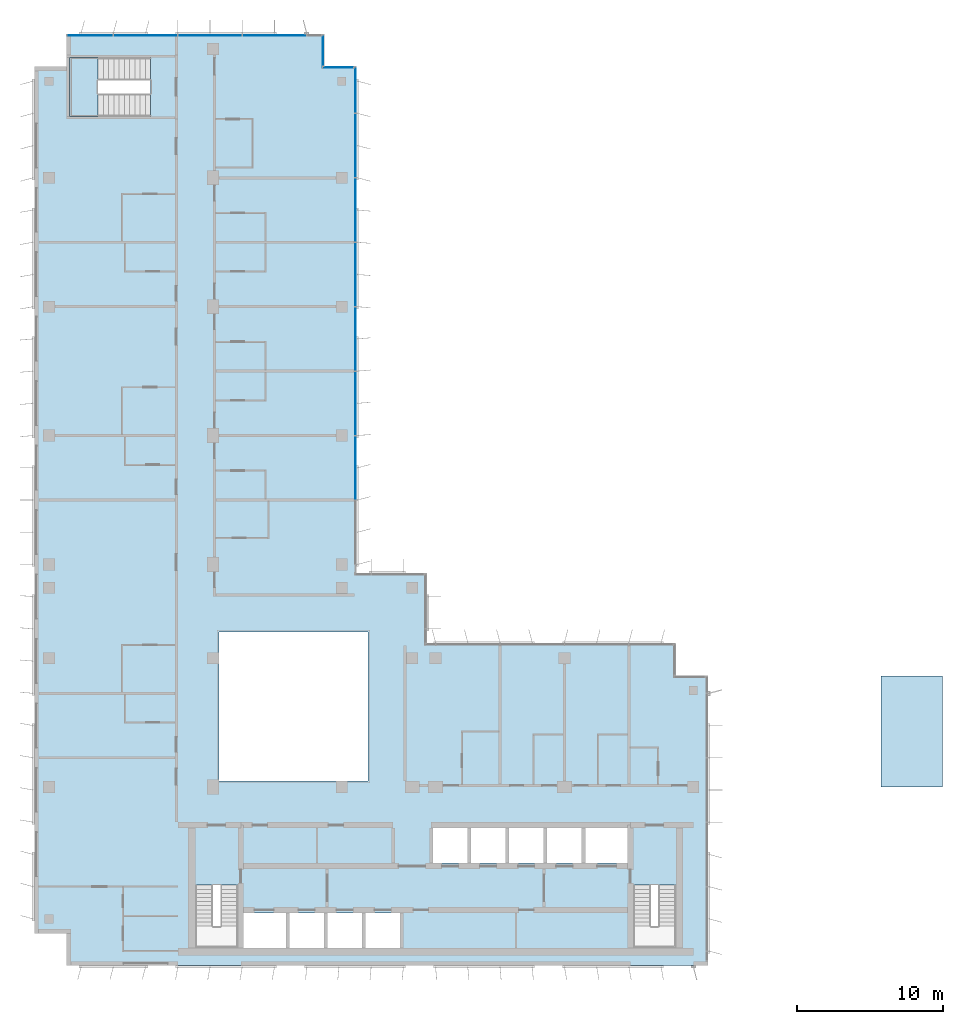
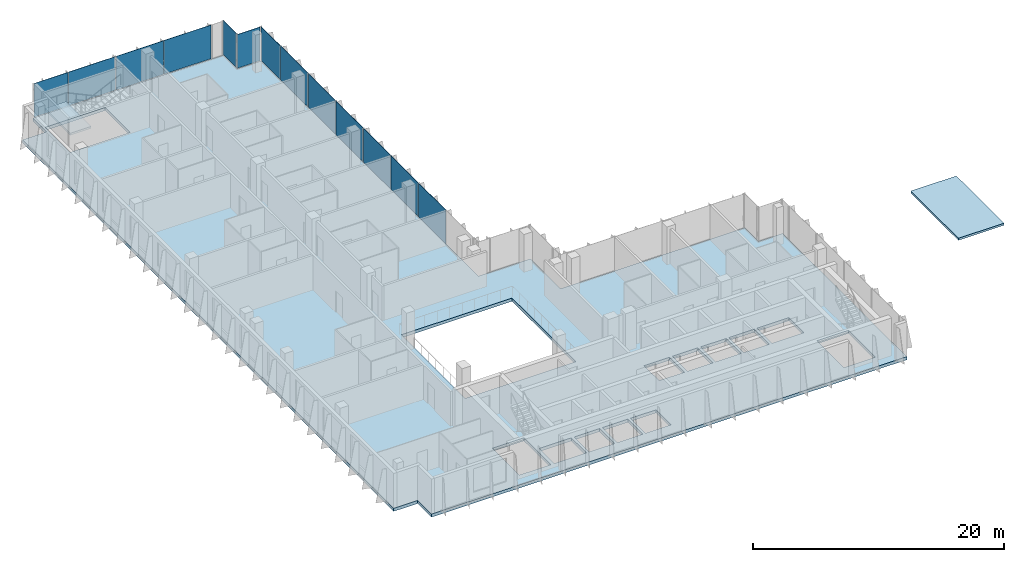
# One storey, part 8 of 17: 13 plates, 3 slabs, 5 elements without a shape of their own.
"""IFC4 building model written with IfcOpenShell, lengths in metres."""

from ifc_helpers import new_model, si_unit, direction, frame, origin, origin_2d, place, context, subcontext, project, spatial, polyline, rectangle, outline, extrude, source, transform, mapped, material, layer, layer_set, type_object, element, aggregate, save


model = new_model("IFC4")

# Units and contexts
model_context = context("Model", 3, precision=1e-05, world=origin(), true_north=direction((0.0, 1.0)))
body_context = subcontext(model_context, "Body", "Model", "MODEL_VIEW")
ifc_project = project(units=[si_unit("LENGTHUNIT", "METRE"), si_unit("AREAUNIT", "SQUARE_METRE"), si_unit("VOLUMEUNIT", "CUBIC_METRE"), si_unit("PLANEANGLEUNIT", "RADIAN"), si_unit("MASSUNIT", "GRAM", prefix="KILO")], contexts=[model_context])

# Site, building, storey
site_placement = place(None, origin())
site = spatial("IfcSite", under=ifc_project, at=site_placement, CompositionType="ELEMENT")
building_placement = place(site_placement, origin())
building = spatial("IfcBuilding", under=site, at=building_placement, Name="Kemantara Hotel Tower", CompositionType="ELEMENT")
storey_placement = place(building_placement, frame((0.0, 0.0, 226.5)))
storey = spatial("IfcBuildingStorey", under=building, at=storey_placement, Name="L56", CompositionType="ELEMENT", Elevation=226.5)

# Slabs
ifc_material_1 = material(Name="Concrete fc 40 MPa", Category="concrete")
ifc_layer_1 = layer(ifc_material_1, 0.199951171875)
ifc_layer_set_1 = layer_set([ifc_layer_1], Name="Concrete fc 40 MPa")
slab_type_1 = type_object("IfcSlabType", Name="Head-house roof slab 200 mm", PredefinedType="ROOF", material=ifc_layer_set_1)
slab_1_placement = place(storey_placement, frame((0.0, 0.0, -0.199951171875)))
element("IfcSlab", 1, at=slab_1_placement, inside=storey, type_object=slab_type_1, Name="Stair ST3 head-house roof", PredefinedType="ROOF", context=body_context, shape_type="SweptSolid", body=[
    extrude(outline(polyline([(57.800048828125, 12.199951171875), (62.0, 12.199951171875), (62.0, 19.800048828125), (57.800048828125, 19.800048828125), (57.800048828125, 12.199951171875)])), origin(), (0.0, 0.0, 1.0), 0.199951171875),
])
ifc_layer_2 = layer(ifc_material_1, 0.300048828125)
ifc_layer_set_2 = layer_set([ifc_layer_2], Name="Concrete fc 40 MPa")
slab_type_2 = type_object("IfcSlabType", Name="POST-TENSIONED FLAT PLATE 300", PredefinedType="FLOOR", material=ifc_layer_set_2)
slab_2_placement = place(storey_placement, frame((0.0, 0.0, -0.300048828125)))
element("IfcSlab", 2, at=slab_2_placement, inside=storey, type_object=slab_type_2, Name="FLOOR SLAB L56", PredefinedType="FLOOR", context=body_context, shape_type="SweptSolid", body=[
    extrude(outline(polyline([(22.0, 26.800048828125), (22.0, 61.39990234375), (19.800048828125, 61.39990234375), (19.800048828125, 63.60009765625), (2.199951171875, 63.60009765625), (2.199951171875, 61.39990234375), (0.0, 61.39990234375), (0.0, 2.199951171875), (2.199951171875, 2.199951171875), (2.199951171875, 0.0), (46.0, 0.0), (46.0, 19.800048828125), (43.800048828125, 19.800048828125), (43.800048828125, 22.0), (26.800048828125, 22.0), (26.800048828125, 26.800048828125), (22.0, 26.800048828125)]), holes=[polyline([(17.175048828125, 3.60009765625), (17.175048828125, 1.199951171875), (14.22509765625, 1.199951171875), (14.22509765625, 3.60009765625), (17.175048828125, 3.60009765625)]), polyline([(19.77490234375, 1.199951171875), (17.425048828125, 1.199951171875), (17.425048828125, 3.60009765625), (19.77490234375, 3.60009765625), (19.77490234375, 1.199951171875)]), polyline([(22.375, 1.199951171875), (20.02490234375, 1.199951171875), (20.02490234375, 3.60009765625), (22.375, 3.60009765625), (22.375, 1.199951171875)]), polyline([(24.97509765625, 3.60009765625), (24.97509765625, 1.199951171875), (22.625, 1.199951171875), (22.625, 3.60009765625), (24.97509765625, 3.60009765625)]), polyline([(11.0, 1.199951171875), (11.0, 5.49951171875), (13.89990234375, 5.49951171875), (13.89990234375, 1.199951171875), (11.0, 1.199951171875)]), polyline([(22.800048828125, 12.60009765625), (12.60009765625, 12.60009765625), (12.60009765625, 22.800048828125), (22.800048828125, 22.800048828125), (22.800048828125, 12.60009765625)]), polyline([(2.39990234375, 58.0), (2.39990234375, 62.0), (7.949462890625, 62.0), (7.949462890625, 58.0), (2.39990234375, 58.0)]), polyline([(40.89990234375, 1.199951171875), (40.89990234375, 5.49951171875), (43.800048828125, 5.49951171875), (43.800048828125, 1.199951171875), (40.89990234375, 1.199951171875)]), polyline([(29.574951171875, 7.0), (27.22509765625, 7.0), (27.22509765625, 9.39990234375), (29.574951171875, 9.39990234375), (29.574951171875, 7.0)]), polyline([(32.175048828125, 7.0), (29.824951171875, 7.0), (29.824951171875, 9.39990234375), (32.175048828125, 9.39990234375), (32.175048828125, 7.0)]), polyline([(34.77490234375, 7.0), (32.425048828125, 7.0), (32.425048828125, 9.39990234375), (34.77490234375, 9.39990234375), (34.77490234375, 7.0)]), polyline([(37.375, 7.0), (35.02490234375, 7.0), (35.02490234375, 9.39990234375), (37.375, 9.39990234375), (37.375, 7.0)]), polyline([(40.574951171875, 7.0), (37.625, 7.0), (37.625, 9.39990234375), (40.574951171875, 9.39990234375), (40.574951171875, 7.0)])]), origin(), (0.0, 0.0, 1.0), 0.300048828125),
])

# Stair, slab
stair_type = type_object("IfcStairType", Name="Stair 1550 wide 22 risers of 168 x 360 mm", PredefinedType="HALF_TURN_STAIR", material=ifc_material_1)
stair_placement = place(storey_placement, origin())
stair = element("IfcStair", 3, at=stair_placement, inside=storey, type_object=stair_type, Name="L56 Exit stair ST4", PredefinedType="HALF_TURN_STAIR")
ifc_layer_3 = layer(ifc_material_1, 0.199951171875)
ifc_layer_set_3 = layer_set([ifc_layer_3], Name="Concrete fc 40 MPa")
slab_type_3 = type_object("IfcSlabType", Name="Stair landing 200 mm", PredefinedType="LANDING", material=ifc_layer_set_3)
slab_3_placement = place(storey_placement, frame((0.0, 0.0, 1.64990234375)))
slab_3 = element("IfcSlab", 4, at=slab_3_placement, type_object=slab_type_3, Name="ST4 landing 1", PredefinedType="LANDING", context=body_context, shape_type="SweptSolid", body=[
    extrude(outline(polyline([(4.35009765625, 62.0), (2.39990234375, 62.0), (2.39990234375, 58.0), (4.35009765625, 58.0), (4.35009765625, 62.0)])), origin(), (0.0, 0.0, 1.0), 0.2001953125),
])
aggregate(stair, [slab_3])

# Curtain wall, plates
ifc_material_2 = material(Name="Low-E tinted double insulated glass 36 mm", Category="glass")
curtain_wall_type = type_object("IfcCurtainWallType", Name="TOWER CURTAIN WALL, FRONT FACES", PredefinedType="USERDEFINED", material=ifc_material_2)
curtain_wall_1_placement = place(storey_placement, origin())
curtain_wall_1 = element("IfcCurtainWall", 5, at=curtain_wall_1_placement, inside=storey, type_object=curtain_wall_type, Name="CW4 L56 T4-R02-1", ObjectType="TOWER CURTAIN WALL, FRONT FACES", PredefinedType="USERDEFINED")
ifc_layer_4 = layer(ifc_material_2, 0.035888671875)
ifc_layer_set_4 = layer_set([ifc_layer_4], Name="Low-E tinted double insulated glass 36 mm")
plate_type = type_object("IfcPlateType", Name="TOWER CURTAIN WALL, FRONT FACES PANEL", PredefinedType="CURTAIN_PANEL", material=ifc_layer_set_4)
shared_shape_1 = source(origin(), body_context, "Body", "SweptSolid", [
    extrude(rectangle(XDim=4.340087890625, YDim=0.035888671875, at=origin_2d()), origin(), (0.0, 0.0, 1.0), 3.280029296875),
])
plate_1_placement = place(storey_placement, frame((16.39990234375, 63.52490234375, 0.1201171875), z_axis=(0.0, 0.0, 1.0), x_axis=(-1.0, 0.0, 0.0)))
plate_1 = element("IfcPlate", 6, at=plate_1_placement, type_object=plate_type, Name="CW4 glass panel T4-R02-1.2", PredefinedType="CURTAIN_PANEL", context=body_context, shape_type="MappedRepresentation", body=[
    mapped(shared_shape_1, transform((0.0, 0.0, 0.0))),
])
plate_2_placement = place(storey_placement, frame((12.0, 63.52490234375, 0.1201171875), z_axis=(0.0, 0.0, 1.0), x_axis=(-1.0, 0.0, 0.0)))
plate_2 = element("IfcPlate", 7, at=plate_2_placement, type_object=plate_type, Name="CW4 glass panel T4-R02-1.3", PredefinedType="CURTAIN_PANEL", context=body_context, shape_type="MappedRepresentation", body=[
    mapped(shared_shape_1, transform((0.0, 0.0, 0.0))),
])
plate_3_placement = place(storey_placement, frame((7.60009765625, 63.52490234375, 0.1201171875), z_axis=(0.0, 0.0, 1.0), x_axis=(-1.0, 0.0, 0.0)))
plate_3 = element("IfcPlate", 8, at=plate_3_placement, type_object=plate_type, Name="CW4 glass panel T4-R02-1.4", PredefinedType="CURTAIN_PANEL", context=body_context, shape_type="MappedRepresentation", body=[
    mapped(shared_shape_1, transform((0.0, 0.0, 0.0))),
])

curtain_wall_2_placement = place(storey_placement, origin())
curtain_wall_2 = element("IfcCurtainWall", 9, at=curtain_wall_2_placement, inside=storey, type_object=curtain_wall_type, Name="CW4 L56 T4-R15-1", ObjectType="TOWER CURTAIN WALL, FRONT FACES", PredefinedType="USERDEFINED")
plate_4_placement = place(storey_placement, frame((21.925048828125, 34.0, 0.1201171875), z_axis=(0.0, 0.0, 1.0), x_axis=(0.0, 1.0, 0.0)))
plate_4 = element("IfcPlate", 10, at=plate_4_placement, type_object=plate_type, Name="CW4 glass panel T4-R15-1.3", PredefinedType="CURTAIN_PANEL", context=body_context, shape_type="MappedRepresentation", body=[
    mapped(shared_shape_1, transform((0.0, 0.0, 0.0))),
])
plate_5_placement = place(storey_placement, frame((21.925048828125, 38.39990234375, 0.1201171875), z_axis=(0.0, 0.0, 1.0), x_axis=(0.0, 1.0, 0.0)))
plate_5 = element("IfcPlate", 11, at=plate_5_placement, type_object=plate_type, Name="CW4 glass panel T4-R15-1.4", PredefinedType="CURTAIN_PANEL", context=body_context, shape_type="MappedRepresentation", body=[
    mapped(shared_shape_1, transform((0.0, 0.0, 0.0))),
])
plate_6_placement = place(storey_placement, frame((21.925048828125, 42.800048828125, 0.1201171875), z_axis=(0.0, 0.0, 1.0), x_axis=(0.0, 1.0, 0.0)))
plate_6 = element("IfcPlate", 12, at=plate_6_placement, type_object=plate_type, Name="CW4 glass panel T4-R15-1.5", PredefinedType="CURTAIN_PANEL", context=body_context, shape_type="MappedRepresentation", body=[
    mapped(shared_shape_1, transform((0.0, 0.0, 0.0))),
])
plate_7_placement = place(storey_placement, frame((21.925048828125, 47.199951171875, 0.1201171875), z_axis=(0.0, 0.0, 1.0), x_axis=(0.0, 1.0, 0.0)))
plate_7 = element("IfcPlate", 13, at=plate_7_placement, type_object=plate_type, Name="CW4 glass panel T4-R15-1.6", PredefinedType="CURTAIN_PANEL", context=body_context, shape_type="MappedRepresentation", body=[
    mapped(shared_shape_1, transform((0.0, 0.0, 0.0))),
])
plate_8_placement = place(storey_placement, frame((21.925048828125, 51.60009765625, 0.1201171875), z_axis=(0.0, 0.0, 1.0), x_axis=(0.0, 1.0, 0.0)))
plate_8 = element("IfcPlate", 14, at=plate_8_placement, type_object=plate_type, Name="CW4 glass panel T4-R15-1.7", PredefinedType="CURTAIN_PANEL", context=body_context, shape_type="MappedRepresentation", body=[
    mapped(shared_shape_1, transform((0.0, 0.0, 0.0))),
])
plate_9_placement = place(storey_placement, frame((21.925048828125, 56.0, 0.1201171875), z_axis=(0.0, 0.0, 1.0), x_axis=(0.0, 1.0, 0.0)))
plate_9 = element("IfcPlate", 15, at=plate_9_placement, type_object=plate_type, Name="CW4 glass panel T4-R15-1.8", PredefinedType="CURTAIN_PANEL", context=body_context, shape_type="MappedRepresentation", body=[
    mapped(shared_shape_1, transform((0.0, 0.0, 0.0))),
])

# Plate
shared_shape_2 = source(origin(), body_context, "Body", "SweptSolid", [
    extrude(rectangle(XDim=3.110107421875, YDim=0.035888671875, at=origin_2d()), origin(), (0.0, 0.0, 1.0), 3.280029296875),
])
plate_10_placement = place(storey_placement, frame((3.81494140625, 63.52490234375, 0.1201171875), z_axis=(0.0, 0.0, 1.0), x_axis=(-1.0, 0.0, 0.0)))
plate_10 = element("IfcPlate", 16, at=plate_10_placement, type_object=plate_type, Name="CW4 glass panel T4-R02-1.5", PredefinedType="CURTAIN_PANEL", context=body_context, shape_type="MappedRepresentation", body=[
    mapped(shared_shape_2, transform((0.0, 0.0, 0.0))),
])

aggregate(curtain_wall_1, [plate_1, plate_2, plate_3, plate_10])

plate_11_placement = place(storey_placement, frame((21.925048828125, 59.784912109375, 0.1201171875), z_axis=(0.0, 0.0, 1.0), x_axis=(0.0, 1.0, 0.0)))
plate_11 = element("IfcPlate", 17, at=plate_11_placement, type_object=plate_type, Name="CW4 glass panel T4-R15-1.9", PredefinedType="CURTAIN_PANEL", context=body_context, shape_type="MappedRepresentation", body=[
    mapped(shared_shape_2, transform((0.0, 0.0, 0.0))),
])

aggregate(curtain_wall_2, [plate_4, plate_5, plate_6, plate_7, plate_8, plate_9, plate_11])

# Curtain wall, plate
curtain_wall_3_placement = place(storey_placement, origin())
curtain_wall_3 = element("IfcCurtainWall", 18, at=curtain_wall_3_placement, inside=storey, type_object=curtain_wall_type, Name="CW4 L56 T4-R00-1", ObjectType="TOWER CURTAIN WALL, FRONT FACES", PredefinedType="USERDEFINED")
shared_shape_3 = source(origin(), body_context, "Body", "SweptSolid", [
    extrude(rectangle(XDim=2.080078125, YDim=0.035888671875, at=origin_2d()), origin(), (0.0, 0.0, 1.0), 3.280029296875),
])
plate_12_placement = place(storey_placement, frame((20.75, 61.324951171875, 0.1201171875), z_axis=(0.0, 0.0, 1.0), x_axis=(-1.0, 0.0, 0.0)))
plate_12 = element("IfcPlate", 19, at=plate_12_placement, type_object=plate_type, Name="CW4 glass panel T4-R00-1.1", PredefinedType="CURTAIN_PANEL", context=body_context, shape_type="MappedRepresentation", body=[
    mapped(shared_shape_3, transform((0.0, 0.0, 0.0))),
])
aggregate(curtain_wall_3, [plate_12])

curtain_wall_4_placement = place(storey_placement, origin())
curtain_wall_4 = element("IfcCurtainWall", 20, at=curtain_wall_4_placement, inside=storey, type_object=curtain_wall_type, Name="CW4 L56 T4-R01-1", ObjectType="TOWER CURTAIN WALL, FRONT FACES", PredefinedType="USERDEFINED")
plate_13_placement = place(storey_placement, frame((19.72509765625, 62.5, 0.1201171875), z_axis=(0.0, 0.0, 1.0), x_axis=(0.0, 1.0, 0.0)))
plate_13 = element("IfcPlate", 21, at=plate_13_placement, type_object=plate_type, Name="CW4 glass panel T4-R01-1.1", PredefinedType="CURTAIN_PANEL", context=body_context, shape_type="MappedRepresentation", body=[
    mapped(shared_shape_3, transform((0.0, 0.0, 0.0))),
])
aggregate(curtain_wall_4, [plate_13])

save(model, "model.ifc")
